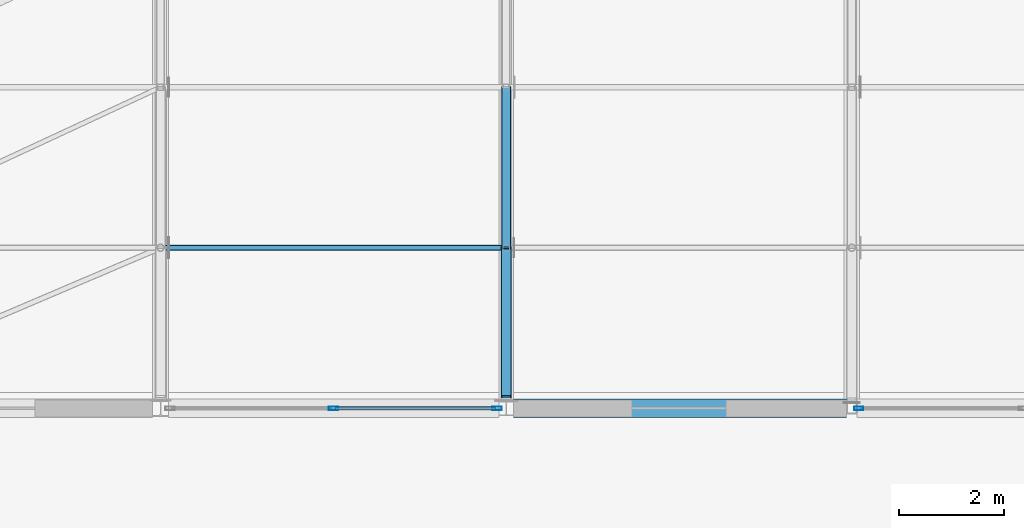
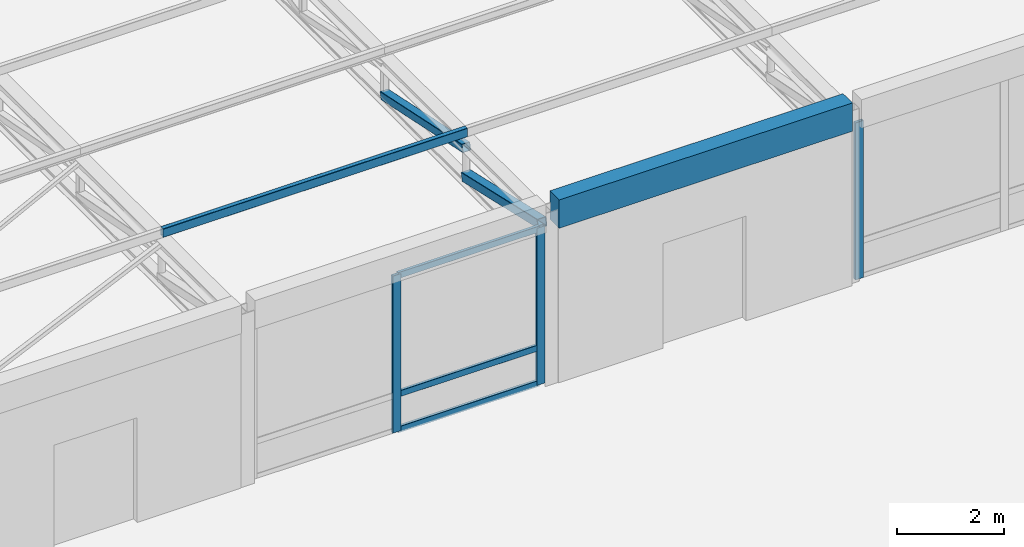
# One storey, part 22 of 92: 9 members, 1 beam, 2 elements without a shape of their own.
"""IFC4 building model written with IfcOpenShell, lengths in metres."""

from ifc_helpers import new_model, si_unit, direction, frame, origin, origin_2d, place, context, subcontext, project, spatial, rectangle, hollow_rectangle, extrude, material, material_profile, profile_set, type_object, element, aggregate, save


model = new_model("IFC4")

# Units and contexts
model_context = context("Model", 3, precision=1e-05, world=origin(), true_north=direction((0.0, 1.0)))
body_context = subcontext(model_context, "Body", "Model", "MODEL_VIEW")
ifc_project = project(units=[si_unit("LENGTHUNIT", "METRE"), si_unit("AREAUNIT", "SQUARE_METRE"), si_unit("VOLUMEUNIT", "CUBIC_METRE"), si_unit("PLANEANGLEUNIT", "RADIAN"), si_unit("MASSUNIT", "GRAM", prefix="KILO")], contexts=[model_context])

# Site, building, storey
site_placement = place(None, origin())
site = spatial("IfcSite", under=ifc_project, at=site_placement, CompositionType="ELEMENT")
building_placement = place(site_placement, origin())
building = spatial("IfcBuilding", under=site, at=building_placement, Name="Kernevlak Ridge Housing Community", CompositionType="ELEMENT")
storey_placement = place(building_placement, frame((0.0, 0.0, 4.199951171875)))
storey = spatial("IfcBuildingStorey", under=building, at=storey_placement, Name="L01", CompositionType="ELEMENT", Elevation=4.199951171875)

# Beam
ifc_material_1 = material(Name="Concrete C35/45", Category="concrete")
ifc_material_profile_1 = material_profile(ifc_material_1, rectangle(XDim=0.35009765625, YDim=0.64990234375, at=origin_2d()), Name="RC 350x650")
ifc_profile_set_1 = profile_set([ifc_material_profile_1], Name="Concrete C35/45")
beam_type = type_object("IfcBeamType", Name="B-02", PredefinedType="BEAM", material=ifc_profile_set_1)
beam_placement = place(storey_placement, frame((77.5400390625, 49.800048828125, 3.875), z_axis=(1.0, 0.0, 0.0), x_axis=(0.0, 1.0, 0.0)))
element("IfcBeam", 1, at=beam_placement, inside=storey, type_object=beam_type, Name="Beam B-02 L01 2409", PredefinedType="BEAM", context=body_context, shape_type="SweptSolid", body=[
    extrude(rectangle(XDim=0.35009765625, YDim=0.64990234375, at=origin_2d()), origin(), (0.0, 0.0, 1.0), 6.35986328125),
])

# Members
ifc_material_2 = material(Name="Steel S355", Category="steel")
ifc_material_profile_2 = material_profile(ifc_material_2, hollow_rectangle(XDim=0.199951171875, YDim=0.199951171875, WallThickness=0.010009765625, InnerFilletRadius=0.010009765625, OuterFilletRadius=0.014892578125, at=origin_2d()), Name="SHS 200x200x10")
ifc_profile_set_2 = profile_set([ifc_material_profile_2], Name="Steel S355")
member_type_1 = type_object("IfcMemberType", Name="BR-01", PredefinedType="BRACE", material=ifc_profile_set_2)
member_1_placement = place(storey_placement, frame((77.39990234375, 50.02001953125, 3.489990234375), z_axis=(0.0, 0.975277256909, -0.220984778109), x_axis=(-1.0, 0.0, 0.0)))
element("IfcMember", 2, at=member_1_placement, inside=storey, type_object=member_type_1, Name="Community Hall roof truss 3 web diagonal 1", PredefinedType="BRACE", context=body_context, shape_type="SweptSolid", body=[
    extrude(hollow_rectangle(XDim=0.199951171875, YDim=0.199951171875, WallThickness=0.010009765625, InnerFilletRadius=0.010009765625, OuterFilletRadius=0.014892578125, at=origin_2d()), origin(), (0.0, 0.0, 1.0), 2.9189453125),
])
ifc_material_profile_3 = material_profile(ifc_material_2, hollow_rectangle(XDim=0.179931640625, YDim=0.179931640625, WallThickness=0.010009765625, InnerFilletRadius=0.010009765625, OuterFilletRadius=0.014892578125, at=origin_2d()), Name="SHS 180x180x10")
ifc_profile_set_3 = profile_set([ifc_material_profile_3], Name="Steel S355")
member_type_2 = type_object("IfcMemberType", Name="BR-02", PredefinedType="BRACE", material=ifc_profile_set_3)
member_2_placement = place(storey_placement, frame((77.39990234375, 52.86669921875, 3.489990234375), z_axis=(0.0, 0.978587791815, -0.205829865932), x_axis=(-1.0, 0.0, 0.0)))
element("IfcMember", 3, at=member_2_placement, inside=storey, type_object=member_type_2, Name="Community Hall roof truss 3 web diagonal 2", PredefinedType="BRACE", context=body_context, shape_type="SweptSolid", body=[
    extrude(hollow_rectangle(XDim=0.179931640625, YDim=0.179931640625, WallThickness=0.010009765625, InnerFilletRadius=0.010009765625, OuterFilletRadius=0.014892578125, at=origin_2d()), origin(), (0.0, 0.0, 1.0), 3.1337890625),
])

# Curtain wall, members
ifc_material_3 = material(Name="Aluminium EN AW-6060 anodised and laminated glass", Category="aluminium")
curtain_wall_type_1 = type_object("IfcCurtainWallType", Name="CW-07", PredefinedType="NOTDEFINED", material=ifc_material_3)
curtain_wall_1_placement = place(storey_placement, origin())
curtain_wall_1 = element("IfcCurtainWall", 4, at=curtain_wall_1_placement, inside=storey, type_object=curtain_wall_type_1, Name="Curtain wall CW-07 CW-L01-176", PredefinedType="NOTDEFINED")
ifc_material_4 = material(Name="Aluminium EN AW-6060 anodised", Category="aluminium")
ifc_material_profile_4 = material_profile(ifc_material_4, hollow_rectangle(XDim=0.06494140625, YDim=0.179931640625, WallThickness=0.00439453125, InnerFilletRadius=0.001953125, OuterFilletRadius=0.00439453125, at=origin_2d()), Name="ALU 65x180x4.5")
ifc_profile_set_4 = profile_set([ifc_material_profile_4], Name="Aluminium EN AW-6060 anodised")
member_type_3 = type_object("IfcMemberType", Name="MU-03", PredefinedType="MULLION", material=ifc_profile_set_4)
member_3_placement = place(storey_placement, frame((74.10498046875, 49.800048828125, 0.0), z_axis=(0.0, 0.0, 1.0), x_axis=(0.0, 1.0, 0.0)))
member_3 = element("IfcMember", 5, at=member_3_placement, type_object=member_type_3, Name="CW-07 mullion 2", PredefinedType="MULLION", context=body_context, shape_type="SweptSolid", body=[
    extrude(hollow_rectangle(XDim=0.06494140625, YDim=0.179931640625, WallThickness=0.00439453125, InnerFilletRadius=0.001953125, OuterFilletRadius=0.00439453125, at=origin_2d()), origin(), (0.0, 0.0, 1.0), 3.60009765625),
])
member_4_placement = place(storey_placement, frame((77.2275390625, 49.800048828125, 0.0), z_axis=(0.0, 0.0, 1.0), x_axis=(0.0, 1.0, 0.0)))
member_4 = element("IfcMember", 6, at=member_4_placement, type_object=member_type_3, Name="CW-07 mullion 3", PredefinedType="MULLION", context=body_context, shape_type="SweptSolid", body=[
    extrude(hollow_rectangle(XDim=0.06494140625, YDim=0.179931640625, WallThickness=0.00439453125, InnerFilletRadius=0.001953125, OuterFilletRadius=0.00439453125, at=origin_2d()), origin(), (0.0, 0.0, 1.0), 3.60009765625),
])

# Curtain wall, member
curtain_wall_type_2 = type_object("IfcCurtainWallType", Name="CW-09", PredefinedType="NOTDEFINED", material=ifc_material_3)
curtain_wall_2_placement = place(storey_placement, origin())
curtain_wall_2 = element("IfcCurtainWall", 7, at=curtain_wall_2_placement, inside=storey, type_object=curtain_wall_type_2, Name="Curtain wall CW-09 CW-L01-179", PredefinedType="NOTDEFINED")
member_5_placement = place(storey_placement, frame((84.132568359375, 49.800048828125, 0.0), z_axis=(0.0, 0.0, 1.0), x_axis=(0.0, 1.0, 0.0)))
member_5 = element("IfcMember", 8, at=member_5_placement, type_object=member_type_3, Name="CW-09 mullion 1", PredefinedType="MULLION", context=body_context, shape_type="SweptSolid", body=[
    extrude(hollow_rectangle(XDim=0.06494140625, YDim=0.179931640625, WallThickness=0.00439453125, InnerFilletRadius=0.001953125, OuterFilletRadius=0.00439453125, at=origin_2d()), origin(), (0.0, 0.0, 1.0), 3.60009765625),
])
aggregate(curtain_wall_2, [member_5])

# Member
ifc_material_profile_5 = material_profile(ifc_material_2, hollow_rectangle(XDim=0.10009765625, YDim=0.199951171875, WallThickness=0.008056640625, InnerFilletRadius=0.008056640625, OuterFilletRadius=0.011962890625, at=origin_2d()), Name="RHS 200x100x8")
ifc_profile_set_5 = profile_set([ifc_material_profile_5], Name="Steel S355")
member_type_4 = type_object("IfcMemberType", Name="PU-05", PredefinedType="PURLIN", material=ifc_profile_set_5)
member_6_placement = place(storey_placement, frame((70.800048828125, 52.86669921875, 3.860107421875), z_axis=(1.0, 0.0, 0.0), x_axis=(0.0, 1.0, 0.0)))
element("IfcMember", 9, at=member_6_placement, inside=storey, type_object=member_type_4, Name="Community Hall steel roof purlin 2.2", PredefinedType="PURLIN", context=body_context, shape_type="SweptSolid", body=[
    extrude(hollow_rectangle(XDim=0.10009765625, YDim=0.199951171875, WallThickness=0.008056640625, InnerFilletRadius=0.008056640625, OuterFilletRadius=0.011962890625, at=origin_2d()), origin(), (0.0, 0.0, 1.0), 6.599853515625),
])

ifc_material_profile_6 = material_profile(ifc_material_4, hollow_rectangle(XDim=0.06494140625, YDim=0.139892578125, WallThickness=0.00390625, InnerFilletRadius=0.001953125, OuterFilletRadius=0.00390625, at=origin_2d()), Name="ALU 65x140x4")
ifc_profile_set_6 = profile_set([ifc_material_profile_6], Name="Aluminium EN AW-6060 anodised")
member_type_5 = type_object("IfcMemberType", Name="TM-03", PredefinedType="USERDEFINED", material=ifc_profile_set_6)
member_7_placement = place(storey_placement, frame((74.137451171875, 49.800048828125, 0.032470703125), z_axis=(1.0, 0.0, 0.0), x_axis=(0.0, 1.0, 0.0)))
member_7 = element("IfcMember", 10, at=member_7_placement, type_object=member_type_5, Name="CW-07 transom 2.1", ObjectType="TRANSOM", PredefinedType="USERDEFINED", context=body_context, shape_type="SweptSolid", body=[
    extrude(hollow_rectangle(XDim=0.06494140625, YDim=0.139892578125, WallThickness=0.00390625, InnerFilletRadius=0.001953125, OuterFilletRadius=0.00390625, at=origin_2d()), origin(), (0.0, 0.0, 1.0), 3.0576171875),
])

member_8_placement = place(storey_placement, frame((74.137451171875, 49.800048828125, 0.85009765625), z_axis=(1.0, 0.0, 0.0), x_axis=(0.0, 1.0, 0.0)))
member_8 = element("IfcMember", 11, at=member_8_placement, type_object=member_type_5, Name="CW-07 transom 2.2", ObjectType="TRANSOM", PredefinedType="USERDEFINED", context=body_context, shape_type="SweptSolid", body=[
    extrude(hollow_rectangle(XDim=0.06494140625, YDim=0.139892578125, WallThickness=0.00390625, InnerFilletRadius=0.001953125, OuterFilletRadius=0.00390625, at=origin_2d()), origin(), (0.0, 0.0, 1.0), 3.0576171875),
])

member_9_placement = place(storey_placement, frame((74.137451171875, 49.800048828125, 3.567626953125), z_axis=(1.0, 0.0, 0.0), x_axis=(0.0, 1.0, 0.0)))
member_9 = element("IfcMember", 12, at=member_9_placement, type_object=member_type_5, Name="CW-07 transom 2.3", ObjectType="TRANSOM", PredefinedType="USERDEFINED", context=body_context, shape_type="SweptSolid", body=[
    extrude(hollow_rectangle(XDim=0.06494140625, YDim=0.139892578125, WallThickness=0.00390625, InnerFilletRadius=0.001953125, OuterFilletRadius=0.00390625, at=origin_2d()), origin(), (0.0, 0.0, 1.0), 3.0576171875),
])

aggregate(curtain_wall_1, [member_3, member_4, member_7, member_8, member_9])

save(model, "model.ifc")
